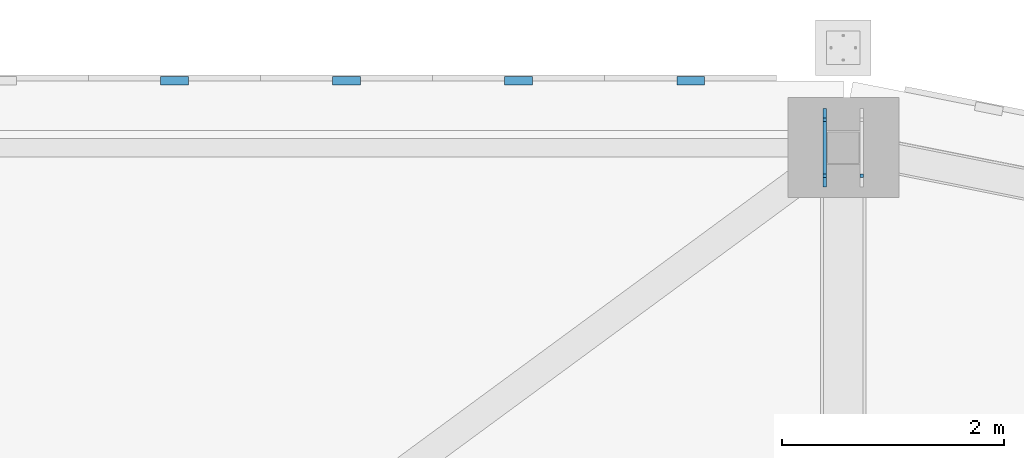
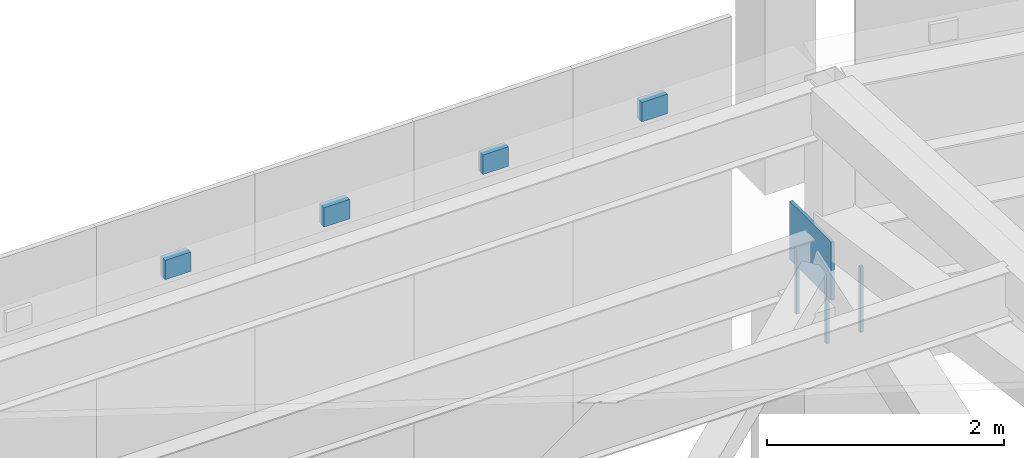
# One storey, part 246 of 278: 5 discrete accessories, 3 mechanical fasteners.
"""IFC4 building model written with IfcOpenShell, lengths in metres."""

from ifc_helpers import new_model, si_unit, direction, frame, origin, origin_2d, place, context, subcontext, project, spatial, rectangle, extrude, material, layer, layer_set, type_object, element, save


model = new_model("IFC4")

# Units and contexts
model_context = context("Model", 3, precision=1e-05, world=origin(), true_north=direction((0.0, 1.0)))
body_context = subcontext(model_context, "Body", "Model", "MODEL_VIEW")
ifc_project = project(units=[si_unit("LENGTHUNIT", "METRE"), si_unit("AREAUNIT", "SQUARE_METRE"), si_unit("VOLUMEUNIT", "CUBIC_METRE"), si_unit("PLANEANGLEUNIT", "RADIAN"), si_unit("MASSUNIT", "GRAM", prefix="KILO")], contexts=[model_context])

# Site, building, storey
site_placement = place(None, origin())
site = spatial("IfcSite", under=ifc_project, at=site_placement, CompositionType="ELEMENT")
building_placement = place(site_placement, origin())
building = spatial("IfcBuilding", under=site, at=building_placement, Name="Ogive Plaza Stadium", CompositionType="ELEMENT")
storey_placement = place(building_placement, frame((0.0, 0.0, 29.0)))
storey = spatial("IfcBuildingStorey", under=building, at=storey_placement, Name="Roof", CompositionType="ELEMENT", Elevation=29.0)

# Mechanical fasteners
ifc_material_1 = material(Name="Steel ASTM A992 Grade 50", Category="steel")
mechanical_fastener_type = type_object("IfcMechanicalFastenerType", Name="Anchor bolt M30 x 600", PredefinedType="ANCHORBOLT", material=ifc_material_1)
for number, where, z_axis, x_axis, name in (
    (1, (33.83349609375, 102.75244140625, 3.0), (0.0, 0.0, 1.0), (0.0, 1.0, 0.0), "ANCHOR BOLT 37 BF 1.1"),
    (2, (33.83349609375, 102.24755859375, 3.0), (0.0, 0.0, 1.0), (0.0, 1.0, 0.0), "ANCHOR BOLT 37 BF 1.2"),
    (3, (34.16650390625, 102.24755859375, 3.0), (0.0, 0.0, 1.0), (0.0, 1.0, 0.0), "ANCHOR BOLT 37 BF 2.2"),
):
    element("IfcMechanicalFastener", number, at=place(storey_placement, frame(where, z_axis=z_axis, x_axis=x_axis)), inside=storey, type_object=mechanical_fastener_type, Name=name, PredefinedType="ANCHORBOLT", context=body_context, shape_type="SweptSolid", body=[
        extrude(rectangle(XDim=0.030029296875, YDim=0.030029296875, at=origin_2d()), origin(), (0.0, 0.0, 1.0), 0.679931640625),
    ])

# Discrete accessories
ifc_material_2 = material(Name="Steel ASTM A572 Grade 50", Category="steel")
ifc_layer_1 = layer(ifc_material_2, 0.080078125)
ifc_layer_set_1 = layer_set([ifc_layer_1], Name="Steel ASTM A572 Grade 50")
discrete_accessory_type_1 = type_object("IfcDiscreteAccessoryType", Name="Tracery screen bracket 250x200", PredefinedType="BRACKET", material=ifc_layer_set_1)
for number, where, z_axis, x_axis, name in (
    (4, (27.97509765625, 103.102294921875, 5.25), (0.0, 0.0, 1.0), (1.0, 0.0, 0.0), "TRACERY SCREEN BRACKET B36 5"),
    (5, (29.52490234375, 103.102294921875, 5.25), (0.0, 0.0, 1.0), (1.0, 0.0, 0.0), "TRACERY SCREEN BRACKET B36 6"),
    (6, (31.074951171875, 103.102294921875, 5.25), (0.0, 0.0, 1.0), (1.0, 0.0, 0.0), "TRACERY SCREEN BRACKET B36 7"),
    (7, (32.625, 103.102294921875, 5.25), (0.0, 0.0, 1.0), (1.0, 0.0, 0.0), "TRACERY SCREEN BRACKET B36 8"),
):
    element("IfcDiscreteAccessory", number, at=place(storey_placement, frame(where, z_axis=z_axis, x_axis=x_axis)), inside=storey, type_object=discrete_accessory_type_1, Name=name, PredefinedType="BRACKET", context=body_context, shape_type="SweptSolid", body=[
        extrude(rectangle(XDim=0.25, YDim=0.080078125, at=origin_2d()), origin(), (0.0, 0.0, 1.0), 0.199951171875),
    ])
ifc_material_3 = material(Name="Steel ASTM A992 Grade 50", Category="steel")
ifc_layer_2 = layer(ifc_material_3, 0.030029296875)
ifc_layer_set_2 = layer_set([ifc_layer_2], Name="Steel ASTM A992 Grade 50")
discrete_accessory_type_2 = type_object("IfcDiscreteAccessoryType", Name="Truss back-stay foot cleat plate 30", PredefinedType="ANCHORPLATE", material=ifc_layer_set_2)
discrete_accessory_placement = place(storey_placement, frame((33.83349609375, 102.5, 3.5), z_axis=(0.0, 0.0, 1.0), x_axis=(0.0, 1.0, 0.0)))
element("IfcDiscreteAccessory", 8, at=discrete_accessory_placement, inside=storey, type_object=discrete_accessory_type_2, Name="TRUSS BACK-STAY FOOT CLEAT PLATE 37 1", PredefinedType="ANCHORPLATE", context=body_context, shape_type="SweptSolid", body=[
    extrude(rectangle(XDim=0.704833984375, YDim=0.030029296875, at=origin_2d()), origin(), (0.0, 0.0, 1.0), 0.60009765625),
])

save(model, "model.ifc")
